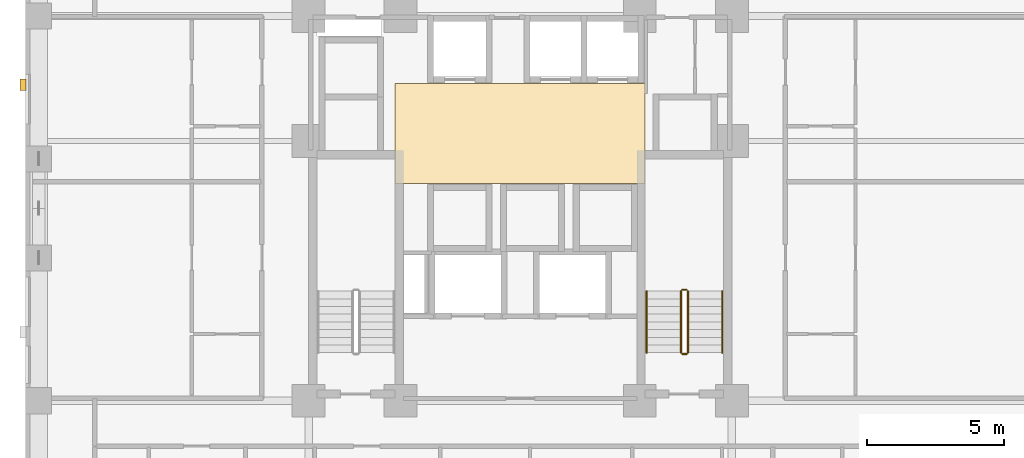
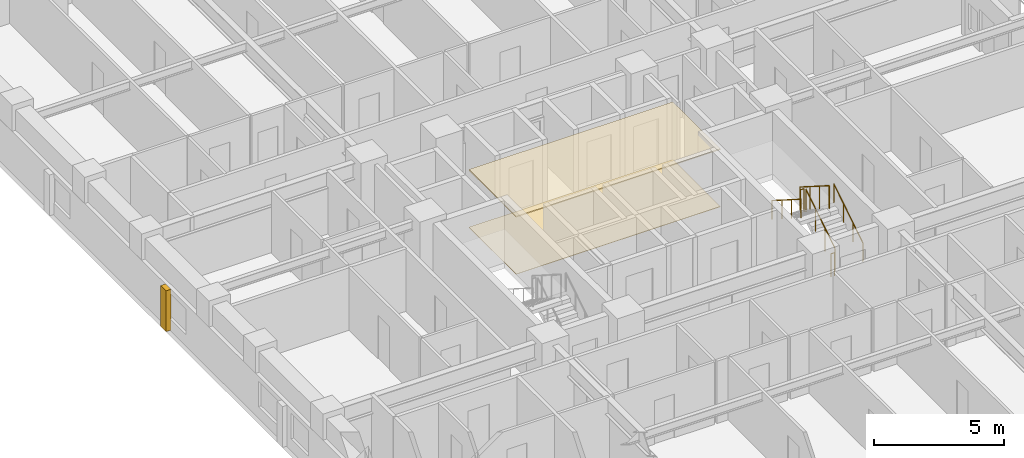
# One storey, part 12 of 13: 6 railings, 3 coverings.
"""IFC4 building model written with IfcOpenShell, lengths in metres."""

from ifc_helpers import new_model, si_unit, derived_unit, direction, frame, origin, origin_2d, place, context, subcontext, project, spatial, polyline, rectangle, circle, outline, extrude, material, layer, layer_set, type_object, element, save


model = new_model("IFC4")

# Units and contexts
model_context = context("Model", 3, precision=1e-05, world=origin(), true_north=direction((0.0, 1.0)))
body_context = subcontext(model_context, "Body", "Model", "MODEL_VIEW")
ifc_project = project(units=[si_unit("LENGTHUNIT", "METRE"), si_unit("AREAUNIT", "SQUARE_METRE"), si_unit("VOLUMEUNIT", "CUBIC_METRE"), si_unit("PLANEANGLEUNIT", "RADIAN"), si_unit("MASSUNIT", "GRAM", prefix="KILO"), derived_unit("THERMALTRANSMITTANCEUNIT", [(si_unit("MASSUNIT", "GRAM", prefix="KILO"), 1), (si_unit("TIMEUNIT", "SECOND"), -3), (si_unit("THERMODYNAMICTEMPERATUREUNIT", "KELVIN"), -1)])], contexts=[model_context])

# Site, building, storey
site_placement = place(None, origin())
site = spatial("IfcSite", under=ifc_project, at=site_placement, CompositionType="ELEMENT")
building_placement = place(site_placement, origin())
building = spatial("IfcBuilding", under=site, at=building_placement, Name="Korrvale Station Residences", CompositionType="ELEMENT")
storey_placement = place(building_placement, frame((0.0, 0.0, 32.199951171875)))
storey = spatial("IfcBuildingStorey", under=building, at=storey_placement, Name="L07", CompositionType="ELEMENT", Elevation=32.199951171875)

# Coverings
ifc_material_1 = material(Name="Perforated acoustic mineral-fibre suspended ceiling", Category="gypsum")
ifc_layer_1 = layer(ifc_material_1, 0.050048828125, Name="Perforated acoustic mineral-fibre suspended ceiling")
ifc_layer_set_1 = layer_set([ifc_layer_1], Name="Perforated acoustic mineral-fibre suspended ceiling")
covering_type_1 = type_object("IfcCoveringType", Name="COV-CLG-AC60", PredefinedType="CEILING", material=ifc_layer_set_1)
covering_1_placement = place(storey_placement, frame((0.0, 0.0, 2.68994140625)))
element("IfcCovering", 1, at=covering_1_placement, inside=storey, type_object=covering_type_1, Name="L07 Elevator Lobby Acoustic Ceiling", PredefinedType="CEILING", context=body_context, shape_type="SweptSolid", body=[
    extrude(outline(polyline([(20.949951171875, 22.89990234375), (30.050048828125, 22.89990234375), (30.050048828125, 26.550048828125), (20.949951171875, 26.550048828125), (20.949951171875, 22.89990234375)])), origin(), (0.0, 0.0, 1.0), 0.050048828125),
])
ifc_material_2 = material(Name="Polished quartz-terrazzo lobby flooring", Category="masonry")
ifc_layer_2 = layer(ifc_material_2, 0.02001953125, Name="Polished quartz-terrazzo lobby flooring")
ifc_layer_set_2 = layer_set([ifc_layer_2], Name="Polished quartz-terrazzo lobby flooring")
covering_type_2 = type_object("IfcCoveringType", Name="COV-FLR-TER20", PredefinedType="FLOORING", material=ifc_layer_set_2)
covering_2_placement = place(storey_placement, origin())
element("IfcCovering", 2, at=covering_2_placement, inside=storey, type_object=covering_type_2, Name="L07 Elevator Lobby Terrazzo Flooring", PredefinedType="FLOORING", context=body_context, shape_type="SweptSolid", body=[
    extrude(outline(polyline([(20.949951171875, 22.89990234375), (30.050048828125, 22.89990234375), (30.050048828125, 26.550048828125), (20.949951171875, 26.550048828125), (20.949951171875, 22.89990234375)])), origin(), (0.0, 0.0, 1.0), 0.02001953125),
])
ifc_material_3 = material(Name="Architectural precast concrete C45/55", Category="concrete")
ifc_layer_3 = layer(ifc_material_3, 0.219970703125, Name="Architectural precast concrete C45/55")
ifc_layer_set_3 = layer_set([ifc_layer_3], Name="Architectural precast concrete C45/55")
covering_type_3 = type_object("IfcCoveringType", Name="COV-PIER-400", PredefinedType="CLADDING", material=ifc_layer_set_3)
covering_3_placement = place(storey_placement, frame((7.409912109375, 26.5, 0.02490234375), z_axis=(0.0, 0.0, 1.0), x_axis=(0.0, 1.0, 0.0)))
element("IfcCovering", 3, at=covering_3_placement, inside=storey, type_object=covering_type_3, Name="L07 Architectural Precast Facade Pier 14", PredefinedType="CLADDING", context=body_context, shape_type="SweptSolid", body=[
    extrude(rectangle(XDim=0.419921875, YDim=0.219970703125, at=origin_2d()), origin(), (0.0, 0.0, 1.0), 1.925048828125),
])

# Railings
ifc_material_4 = material(Name="Brushed stainless-steel continuous stair handrail", Category="steel")
railing_type_1 = type_object("IfcRailingType", Name="RLG-SHND-900", PredefinedType="HANDRAIL", material=ifc_material_4)
railing_1_placement = place(storey_placement, frame((32.85009765625, 16.75, 0.177734375)))
element("IfcRailing", 4, at=railing_1_placement, inside=storey, type_object=railing_type_1, Name="L07 ST-2 stair handrail 1", PredefinedType="HANDRAIL", context=body_context, shape_type="SweptSolid", body=[
    extrude(circle(Radius=0.02392578125, at=origin_2d()), frame((0.0, 0.0, 0.8759765625), z_axis=(0.0, 0.84418770128, 0.536047689118), x_axis=(-1.0, 0.0, 0.0)), (0.0, 0.0, 1.0), 2.6533203125),
    extrude(circle(Radius=0.02099609375, at=origin_2d()), origin(), (0.0, 0.0, 1.0), 0.851806640625),
    extrude(circle(Radius=0.02099609375, at=origin_2d()), frame((0.0, 0.74658203125, 0.47412109375)), (0.0, 0.0, 1.0), 0.851806640625),
    extrude(circle(Radius=0.02099609375, at=origin_2d()), frame((0.0, 1.493408203125, 0.9482421875)), (0.0, 0.0, 1.0), 0.851806640625),
    extrude(circle(Radius=0.02099609375, at=origin_2d()), frame((0.0, 2.239990234375, 1.42236328125)), (0.0, 0.0, 1.0), 0.851806640625),
])
railing_2_placement = place(storey_placement, frame((30.10009765625, 18.989990234375, 1.77783203125)))
element("IfcRailing", 5, at=railing_2_placement, inside=storey, type_object=railing_type_1, Name="L07 ST-2 stair handrail 2", PredefinedType="HANDRAIL", context=body_context, shape_type="SweptSolid", body=[
    extrude(circle(Radius=0.02392578125, at=origin_2d()), frame((0.0, 0.0, 0.8759765625), z_axis=(0.0, -0.8442293374, 0.53598211339), x_axis=(1.0, 0.0, 0.0)), (0.0, 0.0, 1.0), 2.6533203125),
    extrude(circle(Radius=0.02099609375, at=origin_2d()), origin(), (0.0, 0.0, 1.0), 0.851806640625),
    extrude(circle(Radius=0.02099609375, at=origin_2d()), frame((0.0, -0.74658203125, 0.47412109375)), (0.0, 0.0, 1.0), 0.851806640625),
    extrude(circle(Radius=0.02099609375, at=origin_2d()), frame((0.0, -1.493408203125, 0.947998046875)), (0.0, 0.0, 1.0), 0.851806640625),
    extrude(circle(Radius=0.02099609375, at=origin_2d()), frame((0.0, -2.239990234375, 1.422119140625)), (0.0, 0.0, 1.0), 0.851806640625),
])
ifc_material_5 = material(Name="Galvanised painted tubular steel stair guard", Category="steel")
railing_type_2 = type_object("IfcRailingType", Name="RLG-STR-1100", PredefinedType="GUARDRAIL", material=ifc_material_5)
railing_3_placement = place(storey_placement, frame((31.60009765625, 16.75, 0.177734375)))
element("IfcRailing", 6, at=railing_3_placement, inside=storey, type_object=railing_type_2, Name="L07 ST-2 stair guard 1", PredefinedType="GUARDRAIL", context=body_context, shape_type="SweptSolid", body=[
    extrude(circle(Radius=0.02392578125, at=origin_2d()), frame((0.0, 0.0, 1.076171875), z_axis=(0.0, 0.84418770128, 0.536047689118), x_axis=(-1.0, 0.0, 0.0)), (0.0, 0.0, 1.0), 2.6533203125),
    extrude(circle(Radius=0.02099609375, at=origin_2d()), origin(), (0.0, 0.0, 1.0), 1.052001953125),
    extrude(circle(Radius=0.02099609375, at=origin_2d()), frame((0.0, 0.74658203125, 0.47412109375)), (0.0, 0.0, 1.0), 1.052001953125),
    extrude(circle(Radius=0.02099609375, at=origin_2d()), frame((0.0, 1.493408203125, 0.9482421875)), (0.0, 0.0, 1.0), 1.052001953125),
    extrude(circle(Radius=0.02099609375, at=origin_2d()), frame((0.0, 2.239990234375, 1.42236328125)), (0.0, 0.0, 1.0), 1.052001953125),
])
railing_4_placement = place(storey_placement, frame((31.550048828125, 19.0400390625, 1.60009765625)))
element("IfcRailing", 7, at=railing_4_placement, inside=storey, type_object=railing_type_2, Name="L07 ST-2 stair guard 2", PredefinedType="GUARDRAIL", context=body_context, shape_type="SweptSolid", body=[
    extrude(circle(Radius=0.02392578125, at=origin_2d()), frame((0.0, 0.0, 1.076171875), z_axis=(-1.0, 0.0, 0.0), x_axis=(0.0, -1.0, 0.0)), (0.0, 0.0, 1.0), 0.150146484375),
    extrude(circle(Radius=0.02099609375, at=origin_2d()), origin(), (0.0, 0.0, 1.0), 1.052001953125),
    extrude(circle(Radius=0.02099609375, at=origin_2d()), frame((-0.150146484375, 0.0, 0.0)), (0.0, 0.0, 1.0), 1.052001953125),
])
railing_5_placement = place(storey_placement, frame((31.35009765625, 18.989990234375, 1.77783203125)))
element("IfcRailing", 8, at=railing_5_placement, inside=storey, type_object=railing_type_2, Name="L07 ST-2 stair guard 3", PredefinedType="GUARDRAIL", context=body_context, shape_type="SweptSolid", body=[
    extrude(circle(Radius=0.02392578125, at=origin_2d()), frame((0.0, 0.0, 1.076171875), z_axis=(0.0, -0.8442293374, 0.53598211339), x_axis=(1.0, 0.0, 0.0)), (0.0, 0.0, 1.0), 2.6533203125),
    extrude(circle(Radius=0.02099609375, at=origin_2d()), origin(), (0.0, 0.0, 1.0), 1.052001953125),
    extrude(circle(Radius=0.02099609375, at=origin_2d()), frame((0.0, -0.74658203125, 0.47412109375)), (0.0, 0.0, 1.0), 1.052001953125),
    extrude(circle(Radius=0.02099609375, at=origin_2d()), frame((0.0, -1.493408203125, 0.947998046875)), (0.0, 0.0, 1.0), 1.052001953125),
    extrude(circle(Radius=0.02099609375, at=origin_2d()), frame((0.0, -2.239990234375, 1.422119140625)), (0.0, 0.0, 1.0), 1.052001953125),
])
railing_6_placement = place(storey_placement, frame((31.550048828125, 16.699951171875, 0.0)))
element("IfcRailing", 9, at=railing_6_placement, inside=storey, type_object=railing_type_2, Name="L07 ST-2 stair guard 4", PredefinedType="GUARDRAIL", context=body_context, shape_type="SweptSolid", body=[
    extrude(circle(Radius=0.02392578125, at=origin_2d()), frame((0.0, 0.0, 1.076171875), z_axis=(-1.0, 0.0, 0.0), x_axis=(0.0, -1.0, 0.0)), (0.0, 0.0, 1.0), 0.150146484375),
    extrude(circle(Radius=0.02099609375, at=origin_2d()), origin(), (0.0, 0.0, 1.0), 1.052001953125),
    extrude(circle(Radius=0.02099609375, at=origin_2d()), frame((-0.150146484375, 0.0, 0.0)), (0.0, 0.0, 1.0), 1.052001953125),
])

save(model, "model.ifc")
